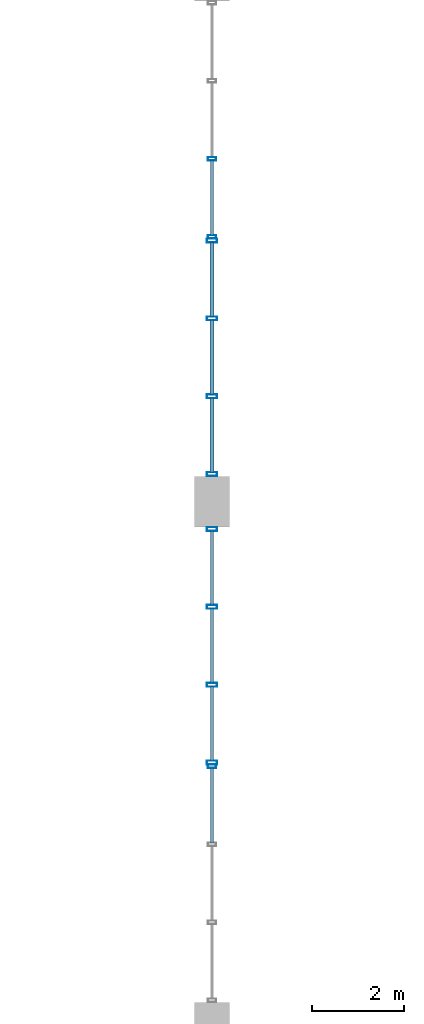
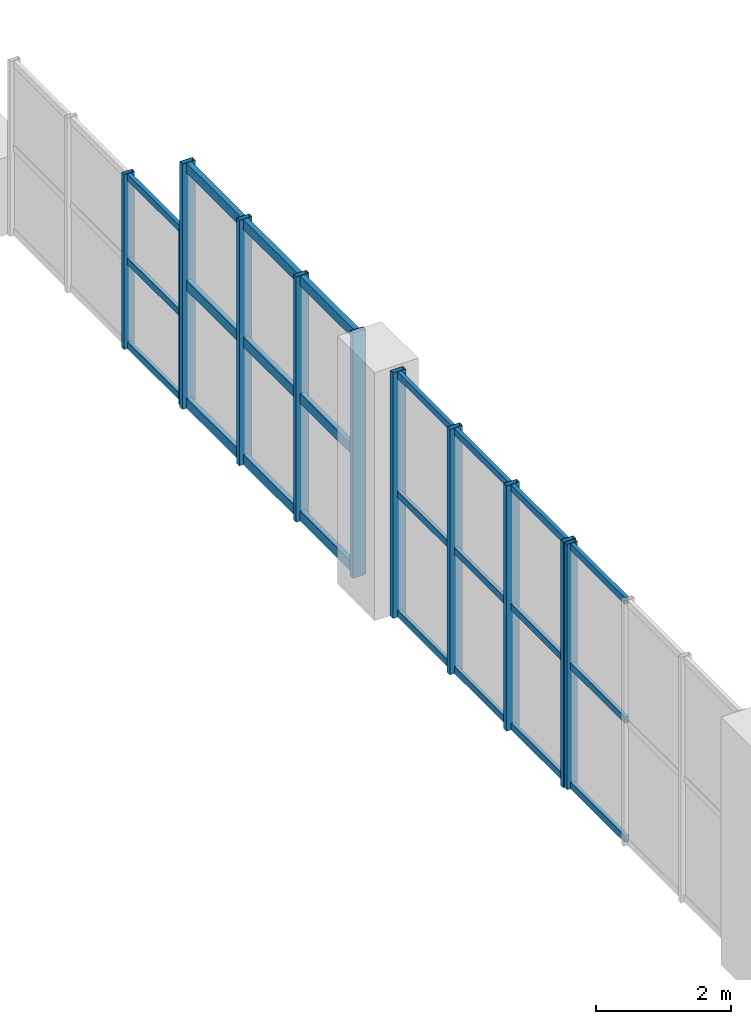
# One storey, part 13 of 48: 35 members, 4 elements without a shape of their own.
"""IFC4 building model written with IfcOpenShell, lengths in metres."""

from ifc_helpers import new_model, si_unit, direction, frame, origin, origin_2d, place, context, subcontext, project, spatial, hollow_rectangle, extrude, material, layer, layer_set, material_profile, profile_set, type_object, element, aggregate, save


model = new_model("IFC4")

# Units and contexts
model_context = context("Model", 3, precision=1e-05, world=origin(), true_north=direction((0.0, 1.0)))
body_context = subcontext(model_context, "Body", "Model", "MODEL_VIEW")
ifc_project = project(units=[si_unit("LENGTHUNIT", "METRE"), si_unit("AREAUNIT", "SQUARE_METRE"), si_unit("VOLUMEUNIT", "CUBIC_METRE"), si_unit("PLANEANGLEUNIT", "RADIAN"), si_unit("MASSUNIT", "GRAM", prefix="KILO"), si_unit("POWERUNIT", "WATT"), si_unit("THERMODYNAMICTEMPERATUREUNIT", "KELVIN")], contexts=[model_context])

# Site, building, storey
site_placement = place(None, origin())
site = spatial("IfcSite", under=ifc_project, at=site_placement, CompositionType="ELEMENT")
building_placement = place(site_placement, origin())
building = spatial("IfcBuilding", under=site, at=building_placement, Name="Kelmbourne Parkland Aquatics Centre", CompositionType="ELEMENT")
storey_placement = place(building_placement, frame((0.0, 0.0, 14.699951171875)))
storey = spatial("IfcBuildingStorey", under=building, at=storey_placement, Name="L03", CompositionType="ELEMENT", Elevation=14.699951171875)

# Curtain wall, member
ifc_material = material(Name="Thermally broken anodised aluminium framing", Category="aluminium")
ifc_layer_1 = layer(ifc_material, 0.179931640625)
ifc_layer_set_1 = layer_set([ifc_layer_1], Name="Thermally broken anodised aluminium framing")
curtain_wall_type_1 = type_object("IfcCurtainWallType", Name="CW-21", PredefinedType="NOTDEFINED", material=ifc_layer_set_1)
curtain_wall_1_placement = place(storey_placement, origin())
curtain_wall_1 = element("IfcCurtainWall", 1, at=curtain_wall_1_placement, inside=storey, type_object=curtain_wall_type_1, Name="Wave-hall clerestory curtain wall CW-L03-021", PredefinedType="NOTDEFINED")
ifc_material_profile_1 = material_profile(ifc_material, hollow_rectangle(XDim=0.074951171875, YDim=0.179931640625, WallThickness=0.00439453125, at=origin_2d()), Name="CW-M 75x180")
ifc_profile_set_1 = profile_set([ifc_material_profile_1], Name="Thermally broken anodised aluminium framing")
member_type_1 = type_object("IfcMemberType", Name="MB-MUL-2", PredefinedType="MULLION", material=ifc_profile_set_1)
member_1_placement = place(storey_placement, frame((128.0, 17.862548828125, 0.0), z_axis=(0.0, 0.0, 1.0), x_axis=(0.0, 1.0, 0.0)))
member_1 = element("IfcMember", 2, at=member_1_placement, type_object=member_type_1, Name="CW-L03-021 mullion 3", PredefinedType="MULLION", context=body_context, shape_type="SweptSolid", body=[
    extrude(hollow_rectangle(XDim=0.074951171875, YDim=0.179931640625, WallThickness=0.00439453125, at=origin_2d()), origin(), (0.0, 0.0, 1.0), 4.449951171875),
])

# Curtain wall, members
ifc_layer_2 = layer(ifc_material, 0.179931640625)
ifc_layer_set_2 = layer_set([ifc_layer_2], Name="Thermally broken anodised aluminium framing")
curtain_wall_type_2 = type_object("IfcCurtainWallType", Name="CW-12", PredefinedType="NOTDEFINED", material=ifc_layer_set_2)
curtain_wall_2_placement = place(storey_placement, origin())
curtain_wall_2 = element("IfcCurtainWall", 3, at=curtain_wall_2_placement, inside=storey, type_object=curtain_wall_type_2, Name="Wave-hall clerestory curtain wall CW-L03-036", PredefinedType="NOTDEFINED")
member_2_placement = place(storey_placement, frame((128.0, 29.33740234375, 0.0), z_axis=(0.0, 0.0, 1.0), x_axis=(0.0, 1.0, 0.0)))
member_2 = element("IfcMember", 4, at=member_2_placement, type_object=member_type_1, Name="CW-L03-036 mullion 0", PredefinedType="MULLION", context=body_context, shape_type="SweptSolid", body=[
    extrude(hollow_rectangle(XDim=0.074951171875, YDim=0.179931640625, WallThickness=0.00439453125, at=origin_2d()), origin(), (0.0, 0.0, 1.0), 3.17333984375),
])
member_3_placement = place(storey_placement, frame((128.0, 31.028564453125, 0.0), z_axis=(0.0, 0.0, 1.0), x_axis=(0.0, 1.0, 0.0)))
member_3 = element("IfcMember", 5, at=member_3_placement, type_object=member_type_1, Name="CW-L03-036 mullion 1", PredefinedType="MULLION", context=body_context, shape_type="SweptSolid", body=[
    extrude(hollow_rectangle(XDim=0.074951171875, YDim=0.179931640625, WallThickness=0.00439453125, at=origin_2d()), origin(), (0.0, 0.0, 1.0), 3.17333984375),
])

ifc_layer_3 = layer(ifc_material, 0.179931640625)
ifc_layer_set_3 = layer_set([ifc_layer_3], Name="Thermally broken anodised aluminium framing")
curtain_wall_type_3 = type_object("IfcCurtainWallType", Name="CW-03", PredefinedType="NOTDEFINED", material=ifc_layer_set_3)
curtain_wall_3_placement = place(storey_placement, origin())
curtain_wall_3 = element("IfcCurtainWall", 6, at=curtain_wall_3_placement, inside=storey, type_object=curtain_wall_type_3, Name="Wave-hall clerestory curtain wall CW-L03-027", PredefinedType="NOTDEFINED")
ifc_material_profile_2 = material_profile(ifc_material, hollow_rectangle(XDim=0.0849609375, YDim=0.219970703125, WallThickness=0.0048828125, at=origin_2d()), Name="CW-M 85x220")
ifc_profile_set_2 = profile_set([ifc_material_profile_2], Name="Thermally broken anodised aluminium framing")
member_type_2 = type_object("IfcMemberType", Name="MB-MUL-3", PredefinedType="MULLION", material=ifc_profile_set_2)
member_4_placement = place(storey_placement, frame((128.0, 17.9423828125, 0.0), z_axis=(0.0, 0.0, 1.0), x_axis=(0.0, 1.0, 0.0)))
member_4 = element("IfcMember", 7, at=member_4_placement, type_object=member_type_2, Name="CW-L03-027 mullion 0", PredefinedType="MULLION", context=body_context, shape_type="SweptSolid", body=[
    extrude(hollow_rectangle(XDim=0.0849609375, YDim=0.219970703125, WallThickness=0.0048828125, at=origin_2d()), origin(), (0.0, 0.0, 1.0), 4.449951171875),
])
member_5_placement = place(storey_placement, frame((128.0, 19.630126953125, 0.0), z_axis=(0.0, 0.0, 1.0), x_axis=(0.0, 1.0, 0.0)))
member_5 = element("IfcMember", 8, at=member_5_placement, type_object=member_type_2, Name="CW-L03-027 mullion 1", PredefinedType="MULLION", context=body_context, shape_type="SweptSolid", body=[
    extrude(hollow_rectangle(XDim=0.0849609375, YDim=0.219970703125, WallThickness=0.0048828125, at=origin_2d()), origin(), (0.0, 0.0, 1.0), 4.449951171875),
])
member_6_placement = place(storey_placement, frame((128.0, 21.31787109375, 0.0), z_axis=(0.0, 0.0, 1.0), x_axis=(0.0, 1.0, 0.0)))
member_6 = element("IfcMember", 9, at=member_6_placement, type_object=member_type_2, Name="CW-L03-027 mullion 2", PredefinedType="MULLION", context=body_context, shape_type="SweptSolid", body=[
    extrude(hollow_rectangle(XDim=0.0849609375, YDim=0.219970703125, WallThickness=0.0048828125, at=origin_2d()), origin(), (0.0, 0.0, 1.0), 4.449951171875),
])
member_7_placement = place(storey_placement, frame((128.0, 23.005615234375, 0.0), z_axis=(0.0, 0.0, 1.0), x_axis=(0.0, 1.0, 0.0)))
member_7 = element("IfcMember", 10, at=member_7_placement, type_object=member_type_2, Name="CW-L03-027 mullion 3", PredefinedType="MULLION", context=body_context, shape_type="SweptSolid", body=[
    extrude(hollow_rectangle(XDim=0.0849609375, YDim=0.219970703125, WallThickness=0.0048828125, at=origin_2d()), origin(), (0.0, 0.0, 1.0), 4.449951171875),
])

ifc_layer_4 = layer(ifc_material, 0.179931640625)
ifc_layer_set_4 = layer_set([ifc_layer_4], Name="Thermally broken anodised aluminium framing")
curtain_wall_type_4 = type_object("IfcCurtainWallType", Name="CW-08", PredefinedType="NOTDEFINED", material=ifc_layer_set_4)
curtain_wall_4_placement = place(storey_placement, origin())
curtain_wall_4 = element("IfcCurtainWall", 11, at=curtain_wall_4_placement, inside=storey, type_object=curtain_wall_type_4, Name="Wave-hall clerestory curtain wall CW-L03-032", PredefinedType="NOTDEFINED")
member_8_placement = place(storey_placement, frame((128.0, 24.194580078125, 0.0), z_axis=(0.0, 0.0, 1.0), x_axis=(0.0, 1.0, 0.0)))
member_8 = element("IfcMember", 12, at=member_8_placement, type_object=member_type_2, Name="CW-L03-032 mullion 0", PredefinedType="MULLION", context=body_context, shape_type="SweptSolid", body=[
    extrude(hollow_rectangle(XDim=0.0849609375, YDim=0.219970703125, WallThickness=0.0048828125, at=origin_2d()), origin(), (0.0, 0.0, 1.0), 4.449951171875),
])
member_9_placement = place(storey_placement, frame((128.0, 25.882080078125, 0.0), z_axis=(0.0, 0.0, 1.0), x_axis=(0.0, 1.0, 0.0)))
member_9 = element("IfcMember", 13, at=member_9_placement, type_object=member_type_2, Name="CW-L03-032 mullion 1", PredefinedType="MULLION", context=body_context, shape_type="SweptSolid", body=[
    extrude(hollow_rectangle(XDim=0.0849609375, YDim=0.219970703125, WallThickness=0.0048828125, at=origin_2d()), origin(), (0.0, 0.0, 1.0), 4.449951171875),
])
member_10_placement = place(storey_placement, frame((128.0, 27.56982421875, 0.0), z_axis=(0.0, 0.0, 1.0), x_axis=(0.0, 1.0, 0.0)))
member_10 = element("IfcMember", 14, at=member_10_placement, type_object=member_type_2, Name="CW-L03-032 mullion 2", PredefinedType="MULLION", context=body_context, shape_type="SweptSolid", body=[
    extrude(hollow_rectangle(XDim=0.0849609375, YDim=0.219970703125, WallThickness=0.0048828125, at=origin_2d()), origin(), (0.0, 0.0, 1.0), 4.449951171875),
])
member_11_placement = place(storey_placement, frame((128.0, 29.257568359375, 0.0), z_axis=(0.0, 0.0, 1.0), x_axis=(0.0, 1.0, 0.0)))
member_11 = element("IfcMember", 15, at=member_11_placement, type_object=member_type_2, Name="CW-L03-032 mullion 3", PredefinedType="MULLION", context=body_context, shape_type="SweptSolid", body=[
    extrude(hollow_rectangle(XDim=0.0849609375, YDim=0.219970703125, WallThickness=0.0048828125, at=origin_2d()), origin(), (0.0, 0.0, 1.0), 4.449951171875),
])

# Member
ifc_material_profile_3 = material_profile(ifc_material, hollow_rectangle(XDim=0.06494140625, YDim=0.1201171875, WallThickness=0.00341796875, at=origin_2d()), Name="CW-T 65x120")
ifc_profile_set_3 = profile_set([ifc_material_profile_3], Name="Thermally broken anodised aluminium framing")
member_type_3 = type_object("IfcMemberType", Name="MB-TRN-1", PredefinedType="USERDEFINED", material=ifc_profile_set_3)
member_12_placement = place(storey_placement, frame((128.0, 16.205078125, 0.06298828125), z_axis=(0.0, 1.0, 0.0), x_axis=(-1.0, 0.0, 0.0)))
member_12 = element("IfcMember", 16, at=member_12_placement, type_object=member_type_3, Name="CW-L03-021 transom 0-2", ObjectType="TRANSOM", PredefinedType="USERDEFINED", context=body_context, shape_type="SweptSolid", body=[
    extrude(hollow_rectangle(XDim=0.06494140625, YDim=0.1201171875, WallThickness=0.00341796875, at=origin_2d()), origin(), (0.0, 0.0, 1.0), 1.6240234375),
])

member_13_placement = place(storey_placement, frame((128.0, 16.205078125, 2.22509765625), z_axis=(0.0, 1.0, 0.0), x_axis=(-1.0, 0.0, 0.0)))
member_13 = element("IfcMember", 17, at=member_13_placement, type_object=member_type_3, Name="CW-L03-021 transom 1-2", ObjectType="TRANSOM", PredefinedType="USERDEFINED", context=body_context, shape_type="SweptSolid", body=[
    extrude(hollow_rectangle(XDim=0.06494140625, YDim=0.1201171875, WallThickness=0.00341796875, at=origin_2d()), origin(), (0.0, 0.0, 1.0), 1.6240234375),
])

member_14_placement = place(storey_placement, frame((128.0, 16.205078125, 4.386962890625), z_axis=(0.0, 1.0, 0.0), x_axis=(-1.0, 0.0, 0.0)))
member_14 = element("IfcMember", 18, at=member_14_placement, type_object=member_type_3, Name="CW-L03-021 transom 2-2", ObjectType="TRANSOM", PredefinedType="USERDEFINED", context=body_context, shape_type="SweptSolid", body=[
    extrude(hollow_rectangle(XDim=0.06494140625, YDim=0.1201171875, WallThickness=0.00341796875, at=origin_2d()), origin(), (0.0, 0.0, 1.0), 1.6240234375),
])

aggregate(curtain_wall_1, [member_1, member_12, member_13, member_14])

member_15_placement = place(storey_placement, frame((128.0, 17.98095703125, 0.06298828125), z_axis=(0.0, 1.0, 0.0), x_axis=(-1.0, 0.0, 0.0)))
member_15 = element("IfcMember", 19, at=member_15_placement, type_object=member_type_3, Name="CW-L03-027 transom 0-0", ObjectType="TRANSOM", PredefinedType="USERDEFINED", context=body_context, shape_type="SweptSolid", body=[
    extrude(hollow_rectangle(XDim=0.06494140625, YDim=0.1201171875, WallThickness=0.00341796875, at=origin_2d()), origin(), (0.0, 0.0, 1.0), 1.61083984375),
])

member_16_placement = place(storey_placement, frame((128.0, 19.668701171875, 0.06298828125), z_axis=(0.0, 1.0, 0.0), x_axis=(-1.0, 0.0, 0.0)))
member_16 = element("IfcMember", 20, at=member_16_placement, type_object=member_type_3, Name="CW-L03-027 transom 0-1", ObjectType="TRANSOM", PredefinedType="USERDEFINED", context=body_context, shape_type="SweptSolid", body=[
    extrude(hollow_rectangle(XDim=0.06494140625, YDim=0.1201171875, WallThickness=0.00341796875, at=origin_2d()), origin(), (0.0, 0.0, 1.0), 1.610595703125),
])

member_17_placement = place(storey_placement, frame((128.0, 21.356201171875, 0.06298828125), z_axis=(0.0, 1.0, 0.0), x_axis=(-1.0, 0.0, 0.0)))
member_17 = element("IfcMember", 21, at=member_17_placement, type_object=member_type_3, Name="CW-L03-027 transom 0-2", ObjectType="TRANSOM", PredefinedType="USERDEFINED", context=body_context, shape_type="SweptSolid", body=[
    extrude(hollow_rectangle(XDim=0.06494140625, YDim=0.1201171875, WallThickness=0.00341796875, at=origin_2d()), origin(), (0.0, 0.0, 1.0), 1.61083984375),
])

member_18_placement = place(storey_placement, frame((128.0, 17.98095703125, 2.22509765625), z_axis=(0.0, 1.0, 0.0), x_axis=(-1.0, 0.0, 0.0)))
member_18 = element("IfcMember", 22, at=member_18_placement, type_object=member_type_3, Name="CW-L03-027 transom 1-0", ObjectType="TRANSOM", PredefinedType="USERDEFINED", context=body_context, shape_type="SweptSolid", body=[
    extrude(hollow_rectangle(XDim=0.06494140625, YDim=0.1201171875, WallThickness=0.00341796875, at=origin_2d()), origin(), (0.0, 0.0, 1.0), 1.61083984375),
])

member_19_placement = place(storey_placement, frame((128.0, 19.668701171875, 2.22509765625), z_axis=(0.0, 1.0, 0.0), x_axis=(-1.0, 0.0, 0.0)))
member_19 = element("IfcMember", 23, at=member_19_placement, type_object=member_type_3, Name="CW-L03-027 transom 1-1", ObjectType="TRANSOM", PredefinedType="USERDEFINED", context=body_context, shape_type="SweptSolid", body=[
    extrude(hollow_rectangle(XDim=0.06494140625, YDim=0.1201171875, WallThickness=0.00341796875, at=origin_2d()), origin(), (0.0, 0.0, 1.0), 1.610595703125),
])

member_20_placement = place(storey_placement, frame((128.0, 21.356201171875, 2.22509765625), z_axis=(0.0, 1.0, 0.0), x_axis=(-1.0, 0.0, 0.0)))
member_20 = element("IfcMember", 24, at=member_20_placement, type_object=member_type_3, Name="CW-L03-027 transom 1-2", ObjectType="TRANSOM", PredefinedType="USERDEFINED", context=body_context, shape_type="SweptSolid", body=[
    extrude(hollow_rectangle(XDim=0.06494140625, YDim=0.1201171875, WallThickness=0.00341796875, at=origin_2d()), origin(), (0.0, 0.0, 1.0), 1.61083984375),
])

member_21_placement = place(storey_placement, frame((128.0, 17.98095703125, 4.386962890625), z_axis=(0.0, 1.0, 0.0), x_axis=(-1.0, 0.0, 0.0)))
member_21 = element("IfcMember", 25, at=member_21_placement, type_object=member_type_3, Name="CW-L03-027 transom 2-0", ObjectType="TRANSOM", PredefinedType="USERDEFINED", context=body_context, shape_type="SweptSolid", body=[
    extrude(hollow_rectangle(XDim=0.06494140625, YDim=0.1201171875, WallThickness=0.00341796875, at=origin_2d()), origin(), (0.0, 0.0, 1.0), 1.61083984375),
])

member_22_placement = place(storey_placement, frame((128.0, 19.668701171875, 4.386962890625), z_axis=(0.0, 1.0, 0.0), x_axis=(-1.0, 0.0, 0.0)))
member_22 = element("IfcMember", 26, at=member_22_placement, type_object=member_type_3, Name="CW-L03-027 transom 2-1", ObjectType="TRANSOM", PredefinedType="USERDEFINED", context=body_context, shape_type="SweptSolid", body=[
    extrude(hollow_rectangle(XDim=0.06494140625, YDim=0.1201171875, WallThickness=0.00341796875, at=origin_2d()), origin(), (0.0, 0.0, 1.0), 1.610595703125),
])

member_23_placement = place(storey_placement, frame((128.0, 21.356201171875, 4.386962890625), z_axis=(0.0, 1.0, 0.0), x_axis=(-1.0, 0.0, 0.0)))
member_23 = element("IfcMember", 27, at=member_23_placement, type_object=member_type_3, Name="CW-L03-027 transom 2-2", ObjectType="TRANSOM", PredefinedType="USERDEFINED", context=body_context, shape_type="SweptSolid", body=[
    extrude(hollow_rectangle(XDim=0.06494140625, YDim=0.1201171875, WallThickness=0.00341796875, at=origin_2d()), origin(), (0.0, 0.0, 1.0), 1.61083984375),
])

aggregate(curtain_wall_3, [member_4, member_5, member_6, member_7, member_15, member_16, member_17, member_18, member_19, member_20, member_21, member_22, member_23])

member_24_placement = place(storey_placement, frame((128.0, 29.37109375, 0.06298828125), z_axis=(0.0, 1.0, 0.0), x_axis=(-1.0, 0.0, 0.0)))
member_24 = element("IfcMember", 28, at=member_24_placement, type_object=member_type_3, Name="CW-L03-036 transom 0-0", ObjectType="TRANSOM", PredefinedType="USERDEFINED", context=body_context, shape_type="SweptSolid", body=[
    extrude(hollow_rectangle(XDim=0.06494140625, YDim=0.1201171875, WallThickness=0.00341796875, at=origin_2d()), origin(), (0.0, 0.0, 1.0), 1.6240234375),
])

member_25_placement = place(storey_placement, frame((128.0, 29.37109375, 1.586669921875), z_axis=(0.0, 1.0, 0.0), x_axis=(-1.0, 0.0, 0.0)))
member_25 = element("IfcMember", 29, at=member_25_placement, type_object=member_type_3, Name="CW-L03-036 transom 1-0", ObjectType="TRANSOM", PredefinedType="USERDEFINED", context=body_context, shape_type="SweptSolid", body=[
    extrude(hollow_rectangle(XDim=0.06494140625, YDim=0.1201171875, WallThickness=0.00341796875, at=origin_2d()), origin(), (0.0, 0.0, 1.0), 1.6240234375),
])

member_26_placement = place(storey_placement, frame((128.0, 29.37109375, 3.1103515625), z_axis=(0.0, 1.0, 0.0), x_axis=(-1.0, 0.0, 0.0)))
member_26 = element("IfcMember", 30, at=member_26_placement, type_object=member_type_3, Name="CW-L03-036 transom 2-0", ObjectType="TRANSOM", PredefinedType="USERDEFINED", context=body_context, shape_type="SweptSolid", body=[
    extrude(hollow_rectangle(XDim=0.06494140625, YDim=0.1201171875, WallThickness=0.00341796875, at=origin_2d()), origin(), (0.0, 0.0, 1.0), 1.6240234375),
])

aggregate(curtain_wall_2, [member_2, member_3, member_24, member_25, member_26])

ifc_material_profile_4 = material_profile(ifc_material, hollow_rectangle(XDim=0.0849609375, YDim=0.179931640625, WallThickness=0.00439453125, at=origin_2d()), Name="CW-T 85x180")
ifc_profile_set_4 = profile_set([ifc_material_profile_4], Name="Thermally broken anodised aluminium framing")
member_type_4 = type_object("IfcMemberType", Name="MB-TRN-3", PredefinedType="USERDEFINED", material=ifc_profile_set_4)
member_27_placement = place(storey_placement, frame((128.0, 24.23291015625, 0.093017578125), z_axis=(0.0, 1.0, 0.0), x_axis=(-1.0, 0.0, 0.0)))
member_27 = element("IfcMember", 31, at=member_27_placement, type_object=member_type_4, Name="CW-L03-032 transom 0-0", ObjectType="TRANSOM", PredefinedType="USERDEFINED", context=body_context, shape_type="SweptSolid", body=[
    extrude(hollow_rectangle(XDim=0.0849609375, YDim=0.179931640625, WallThickness=0.00439453125, at=origin_2d()), origin(), (0.0, 0.0, 1.0), 1.61083984375),
])

member_28_placement = place(storey_placement, frame((128.0, 25.920654296875, 0.093017578125), z_axis=(0.0, 1.0, 0.0), x_axis=(-1.0, 0.0, 0.0)))
member_28 = element("IfcMember", 32, at=member_28_placement, type_object=member_type_4, Name="CW-L03-032 transom 0-1", ObjectType="TRANSOM", PredefinedType="USERDEFINED", context=body_context, shape_type="SweptSolid", body=[
    extrude(hollow_rectangle(XDim=0.0849609375, YDim=0.179931640625, WallThickness=0.00439453125, at=origin_2d()), origin(), (0.0, 0.0, 1.0), 1.610595703125),
])

member_29_placement = place(storey_placement, frame((128.0, 27.6083984375, 0.093017578125), z_axis=(0.0, 1.0, 0.0), x_axis=(-1.0, 0.0, 0.0)))
member_29 = element("IfcMember", 33, at=member_29_placement, type_object=member_type_4, Name="CW-L03-032 transom 0-2", ObjectType="TRANSOM", PredefinedType="USERDEFINED", context=body_context, shape_type="SweptSolid", body=[
    extrude(hollow_rectangle(XDim=0.0849609375, YDim=0.179931640625, WallThickness=0.00439453125, at=origin_2d()), origin(), (0.0, 0.0, 1.0), 1.610595703125),
])

member_30_placement = place(storey_placement, frame((128.0, 24.23291015625, 2.22509765625), z_axis=(0.0, 1.0, 0.0), x_axis=(-1.0, 0.0, 0.0)))
member_30 = element("IfcMember", 34, at=member_30_placement, type_object=member_type_4, Name="CW-L03-032 transom 1-0", ObjectType="TRANSOM", PredefinedType="USERDEFINED", context=body_context, shape_type="SweptSolid", body=[
    extrude(hollow_rectangle(XDim=0.0849609375, YDim=0.179931640625, WallThickness=0.00439453125, at=origin_2d()), origin(), (0.0, 0.0, 1.0), 1.61083984375),
])

member_31_placement = place(storey_placement, frame((128.0, 25.920654296875, 2.22509765625), z_axis=(0.0, 1.0, 0.0), x_axis=(-1.0, 0.0, 0.0)))
member_31 = element("IfcMember", 35, at=member_31_placement, type_object=member_type_4, Name="CW-L03-032 transom 1-1", ObjectType="TRANSOM", PredefinedType="USERDEFINED", context=body_context, shape_type="SweptSolid", body=[
    extrude(hollow_rectangle(XDim=0.0849609375, YDim=0.179931640625, WallThickness=0.00439453125, at=origin_2d()), origin(), (0.0, 0.0, 1.0), 1.610595703125),
])

member_32_placement = place(storey_placement, frame((128.0, 27.6083984375, 2.22509765625), z_axis=(0.0, 1.0, 0.0), x_axis=(-1.0, 0.0, 0.0)))
member_32 = element("IfcMember", 36, at=member_32_placement, type_object=member_type_4, Name="CW-L03-032 transom 1-2", ObjectType="TRANSOM", PredefinedType="USERDEFINED", context=body_context, shape_type="SweptSolid", body=[
    extrude(hollow_rectangle(XDim=0.0849609375, YDim=0.179931640625, WallThickness=0.00439453125, at=origin_2d()), origin(), (0.0, 0.0, 1.0), 1.610595703125),
])

member_33_placement = place(storey_placement, frame((128.0, 24.23291015625, 4.35693359375), z_axis=(0.0, 1.0, 0.0), x_axis=(-1.0, 0.0, 0.0)))
member_33 = element("IfcMember", 37, at=member_33_placement, type_object=member_type_4, Name="CW-L03-032 transom 2-0", ObjectType="TRANSOM", PredefinedType="USERDEFINED", context=body_context, shape_type="SweptSolid", body=[
    extrude(hollow_rectangle(XDim=0.0849609375, YDim=0.179931640625, WallThickness=0.00439453125, at=origin_2d()), origin(), (0.0, 0.0, 1.0), 1.61083984375),
])

member_34_placement = place(storey_placement, frame((128.0, 25.920654296875, 4.35693359375), z_axis=(0.0, 1.0, 0.0), x_axis=(-1.0, 0.0, 0.0)))
member_34 = element("IfcMember", 38, at=member_34_placement, type_object=member_type_4, Name="CW-L03-032 transom 2-1", ObjectType="TRANSOM", PredefinedType="USERDEFINED", context=body_context, shape_type="SweptSolid", body=[
    extrude(hollow_rectangle(XDim=0.0849609375, YDim=0.179931640625, WallThickness=0.00439453125, at=origin_2d()), origin(), (0.0, 0.0, 1.0), 1.610595703125),
])

member_35_placement = place(storey_placement, frame((128.0, 27.6083984375, 4.35693359375), z_axis=(0.0, 1.0, 0.0), x_axis=(-1.0, 0.0, 0.0)))
member_35 = element("IfcMember", 39, at=member_35_placement, type_object=member_type_4, Name="CW-L03-032 transom 2-2", ObjectType="TRANSOM", PredefinedType="USERDEFINED", context=body_context, shape_type="SweptSolid", body=[
    extrude(hollow_rectangle(XDim=0.0849609375, YDim=0.179931640625, WallThickness=0.00439453125, at=origin_2d()), origin(), (0.0, 0.0, 1.0), 1.610595703125),
])

aggregate(curtain_wall_4, [member_8, member_9, member_10, member_11, member_27, member_28, member_29, member_30, member_31, member_32, member_33, member_34, member_35])

save(model, "model.ifc")
